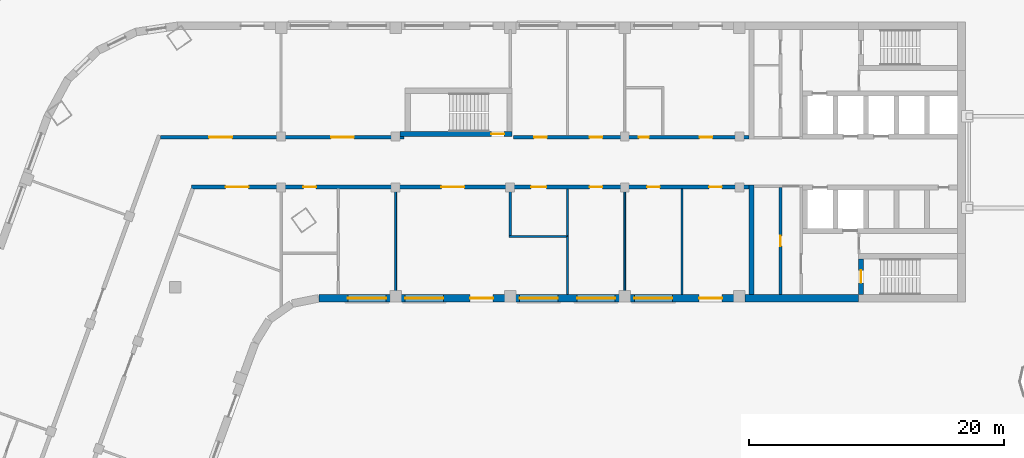
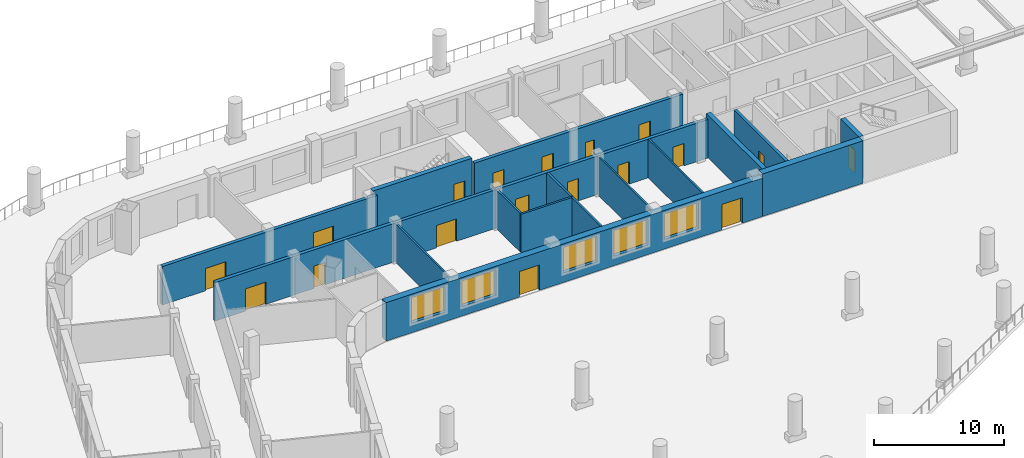
# One storey, part 5 of 18: 18 doors, 16 walls, 5 windows, 23 openings.
"""IFC4 building model written with IfcOpenShell, lengths in metres."""

from ifc_helpers import new_model, si_unit, direction, frame, frame_2d, origin, place, context, subcontext, project, spatial, rectangle, extrude, material, layer, layer_set, type_object, element, fill, save


model = new_model("IFC4")

# Units and contexts
model_context = context("Model", 3, precision=1e-05, world=origin(), true_north=direction((0.0, 1.0)))
body_context = subcontext(model_context, "Body", "Model", "MODEL_VIEW")
ifc_project = project(units=[si_unit("LENGTHUNIT", "METRE"), si_unit("AREAUNIT", "SQUARE_METRE"), si_unit("VOLUMEUNIT", "CUBIC_METRE"), si_unit("PLANEANGLEUNIT", "RADIAN"), si_unit("MASSUNIT", "GRAM", prefix="KILO")], contexts=[model_context])

# Site, building, storey
site_placement = place(None, origin())
site = spatial("IfcSite", under=ifc_project, at=site_placement, CompositionType="ELEMENT")
building_placement = place(site_placement, origin())
building = spatial("IfcBuilding", under=site, at=building_placement, Name="Skarvind Civic Tower", CompositionType="ELEMENT")
storey_placement = place(building_placement, frame((0.0, 0.0, 27.5)))
storey = spatial("IfcBuildingStorey", under=building, at=storey_placement, Name="L05", CompositionType="ELEMENT", Elevation=27.5)

# Walls
ifc_material_1 = material(Name="Acoustic gypsum board on steel studs", Category="steel")
ifc_layer_1 = layer(ifc_material_1, 0.175048828125)
ifc_layer_set_1 = layer_set([ifc_layer_1], Name="ACOUSTIC MEETING-ROOM PARTITION 175")
wall_type_1 = type_object("IfcWallType", Name="ACOUSTIC MEETING-ROOM PARTITION 175", PredefinedType="PARTITIONING", material=ifc_layer_set_1)
wall_1_placement = place(storey_placement, frame((72.25, 122.238037109375, 0.0), z_axis=(0.0, 0.0, 1.0), x_axis=(0.0, 1.0, 0.0)))
element("IfcWall", 1, at=wall_1_placement, inside=storey, type_object=wall_type_1, Name="Partition 05.018", PredefinedType="PARTITIONING", context=body_context, shape_type="SweptSolid", body=[
    extrude(rectangle(XDim=3.661865234375, YDim=0.175048828125, at=frame_2d((1.8310546875, 0.0))), origin(), (0.0, 0.0, 1.0), 3.625),
])
wall_2_placement = place(storey_placement, frame((76.837890625, 122.14990234375, 0.0), z_axis=(0.0, 0.0, 1.0), x_axis=(-1.0, 0.0, 0.0)))
element("IfcWall", 2, at=wall_2_placement, inside=storey, type_object=wall_type_1, Name="Partition 05.022", PredefinedType="PARTITIONING", context=body_context, shape_type="SweptSolid", body=[
    extrude(rectangle(XDim=4.67578125, YDim=0.175048828125, at=frame_2d((2.337890625, 0.0))), origin(), (0.0, 0.0, 1.0), 3.625),
])
wall_3_placement = place(storey_placement, frame((76.75, 122.238037109375, 0.0), z_axis=(0.0, 0.0, 1.0), x_axis=(0.0, 1.0, 0.0)))
element("IfcWall", 3, at=wall_3_placement, inside=storey, type_object=wall_type_1, Name="Partition 05.023", PredefinedType="PARTITIONING", context=body_context, shape_type="SweptSolid", body=[
    extrude(rectangle(XDim=3.661865234375, YDim=0.175048828125, at=frame_2d((1.8310546875, 0.0))), origin(), (0.0, 0.0, 1.0), 3.625),
])

# Wall, openings, doors
ifc_material_2 = material(Name="Fire-rated gypsum board on steel studs", Category="steel")
ifc_layer_2 = layer(ifc_material_2, 0.300048828125)
ifc_layer_set_2 = layer_set([ifc_layer_2], Name="CORRIDOR WALL 300")
wall_type_2 = type_object("IfcWallType", Name="CORRIDOR WALL 300", PredefinedType="PARTITIONING", material=ifc_layer_set_2)
wall_4_placement = place(storey_placement, frame((44.784912109375, 129.949951171875, 0.0), z_axis=(0.0, 0.0, 1.0), x_axis=(1.0, 0.0, 0.0)))
wall_4 = element("IfcWall", 4, at=wall_4_placement, inside=storey, type_object=wall_type_2, Name="Partition 05.010", PredefinedType="PARTITIONING", context=body_context, shape_type="SweptSolid", body=[
    extrude(rectangle(XDim=19.114990234375, YDim=0.300048828125, at=frame_2d((9.5576171875, 0.0))), origin(), (0.0, 0.0, 1.0), 3.625),
])
opening_1_placement = place(wall_4_placement, frame((13.389892578125, 0.0, 0.0)))
opening_1 = element("IfcOpeningElement", 5, at=opening_1_placement, cuts=wall_4, Name="Opening L05-D005", PredefinedType="OPENING", context=body_context, shape_type="SweptSolid", body=[
    extrude(rectangle(XDim=1.800048828125, YDim=2.10009765625, at=frame_2d((0.89990234375, 1.050048828125))), frame((0.0, 0.159912109375, 0.0), z_axis=(0.0, -1.0, 0.0), x_axis=(1.0, 0.0, 0.0)), (0.0, 0.0, 1.0), 0.320068359375),
])
opening_2_placement = place(wall_4_placement, frame((3.822509765625, 0.0, 0.0)))
opening_2 = element("IfcOpeningElement", 6, at=opening_2_placement, cuts=wall_4, Name="Opening L05-D022", PredefinedType="OPENING", context=body_context, shape_type="SweptSolid", body=[
    extrude(rectangle(XDim=1.800048828125, YDim=2.10009765625, at=frame_2d((0.89990234375, 1.050048828125))), frame((0.0, 0.159912109375, 0.0), z_axis=(0.0, -1.0, 0.0), x_axis=(1.0, 0.0, 0.0)), (0.0, 0.0, 1.0), 0.320068359375),
])
ifc_material_3 = material(Name="Fire-rated timber door leaf", Category="wood")
door_type_1 = type_object("IfcDoorType", Name="FD4 1800x2100", OperationType="NOTDEFINED", PredefinedType="DOOR", material=ifc_material_3)
door_1_placement = place(opening_1_placement, origin())
door_1 = element("IfcDoor", 7, at=door_1_placement, inside=storey, type_object=door_type_1, Name="Door L05-D005", OperationType="DOUBLE_DOOR_SINGLE_SWING", OverallHeight=2.10009765625, OverallWidth=1.800048828125, PredefinedType="DOOR", context=body_context, shape_type="SweptSolid", body=[
    extrude(rectangle(XDim=1.800048828125, YDim=2.10009765625, at=frame_2d((0.89990234375, 1.050048828125))), frame((0.0, 0.02490234375, 0.0), z_axis=(0.0, -1.0, 0.0), x_axis=(1.0, 0.0, 0.0)), (0.0, 0.0, 1.0), 0.050048828125),
])
fill(opening_1, door_1)
door_2_placement = place(opening_2_placement, origin())
door_2 = element("IfcDoor", 8, at=door_2_placement, inside=storey, type_object=door_type_1, Name="Door L05-D022", OperationType="DOUBLE_DOOR_SINGLE_SWING", OverallHeight=2.10009765625, OverallWidth=1.800048828125, PredefinedType="DOOR", context=body_context, shape_type="SweptSolid", body=[
    extrude(rectangle(XDim=1.800048828125, YDim=2.10009765625, at=frame_2d((0.89990234375, 1.050048828125))), frame((0.0, 0.02490234375, 0.0), z_axis=(0.0, -1.0, 0.0), x_axis=(1.0, 0.0, 0.0)), (0.0, 0.0, 1.0), 0.050048828125),
])
fill(opening_2, door_2)

wall_5_placement = place(storey_placement, frame((72.5, 129.949951171875, 0.0), z_axis=(0.0, 0.0, 1.0), x_axis=(1.0, 0.0, 0.0)))
wall_5 = element("IfcWall", 9, at=wall_5_placement, inside=storey, type_object=wall_type_2, Name="Partition 05.020", PredefinedType="PARTITIONING", context=body_context, shape_type="SweptSolid", body=[
    extrude(rectangle(XDim=18.5, YDim=0.300048828125, at=frame_2d((9.25, 0.0))), origin(), (0.0, 0.0, 1.0), 3.625),
])
opening_3_placement = place(wall_5_placement, frame((9.85009765625, 0.0, 0.0)))
opening_3 = element("IfcOpeningElement", 10, at=opening_3_placement, cuts=wall_5, Name="Opening L05-D001", PredefinedType="OPENING", context=body_context, shape_type="SweptSolid", body=[
    extrude(rectangle(XDim=0.800048828125, YDim=2.10009765625, at=frame_2d((0.39990234375, 1.050048828125))), frame((0.0, 0.159912109375, 0.0), z_axis=(0.0, -1.0, 0.0), x_axis=(1.0, 0.0, 0.0)), (0.0, 0.0, 1.0), 0.320068359375),
])
opening_4_placement = place(wall_5_placement, frame((14.625, 0.0, 0.0)))
opening_4 = element("IfcOpeningElement", 11, at=opening_4_placement, cuts=wall_5, Name="Opening L05-D002", PredefinedType="OPENING", context=body_context, shape_type="SweptSolid", body=[
    extrude(rectangle(XDim=1.0, YDim=2.10009765625, at=frame_2d((0.5, 1.050048828125))), frame((0.0, 0.159912109375, 0.0), z_axis=(0.0, -1.0, 0.0), x_axis=(1.0, 0.0, 0.0)), (0.0, 0.0, 1.0), 0.320068359375),
])
opening_5_placement = place(wall_5_placement, frame((6.0, 0.0, 0.0)))
opening_5 = element("IfcOpeningElement", 12, at=opening_5_placement, cuts=wall_5, Name="Opening L05-D003", PredefinedType="OPENING", context=body_context, shape_type="SweptSolid", body=[
    extrude(rectangle(XDim=1.0, YDim=2.10009765625, at=frame_2d((0.5, 1.050048828125))), frame((0.0, 0.159912109375, 0.0), z_axis=(0.0, -1.0, 0.0), x_axis=(1.0, 0.0, 0.0)), (0.0, 0.0, 1.0), 0.320068359375),
])
opening_6_placement = place(wall_5_placement, frame((1.625, 0.0, 0.0)))
opening_6 = element("IfcOpeningElement", 13, at=opening_6_placement, cuts=wall_5, Name="Opening L05-D004", PredefinedType="OPENING", context=body_context, shape_type="SweptSolid", body=[
    extrude(rectangle(XDim=1.0, YDim=2.10009765625, at=frame_2d((0.5, 1.050048828125))), frame((0.0, 0.159912109375, 0.0), z_axis=(0.0, -1.0, 0.0), x_axis=(1.0, 0.0, 0.0)), (0.0, 0.0, 1.0), 0.320068359375),
])
door_type_2 = type_object("IfcDoorType", Name="FD1 1000x2100", OperationType="NOTDEFINED", PredefinedType="DOOR", material=ifc_material_3)
door_3_placement = place(opening_4_placement, origin())
door_3 = element("IfcDoor", 14, at=door_3_placement, inside=storey, type_object=door_type_2, Name="Door L05-D002", OperationType="SINGLE_SWING_LEFT", OverallHeight=2.10009765625, OverallWidth=1.0, PredefinedType="DOOR", context=body_context, shape_type="SweptSolid", body=[
    extrude(rectangle(XDim=1.0, YDim=2.10009765625, at=frame_2d((0.5, 1.050048828125))), frame((0.0, 0.02490234375, 0.0), z_axis=(0.0, -1.0, 0.0), x_axis=(1.0, 0.0, 0.0)), (0.0, 0.0, 1.0), 0.050048828125),
])
fill(opening_4, door_3)
door_4_placement = place(opening_5_placement, origin())
door_4 = element("IfcDoor", 15, at=door_4_placement, inside=storey, type_object=door_type_2, Name="Door L05-D003", OperationType="SINGLE_SWING_RIGHT", OverallHeight=2.10009765625, OverallWidth=1.0, PredefinedType="DOOR", context=body_context, shape_type="SweptSolid", body=[
    extrude(rectangle(XDim=1.0, YDim=2.10009765625, at=frame_2d((0.5, 1.050048828125))), frame((0.0, 0.02490234375, 0.0), z_axis=(0.0, -1.0, 0.0), x_axis=(1.0, 0.0, 0.0)), (0.0, 0.0, 1.0), 0.050048828125),
])
fill(opening_5, door_4)
door_5_placement = place(opening_6_placement, origin())
door_5 = element("IfcDoor", 16, at=door_5_placement, inside=storey, type_object=door_type_2, Name="Door L05-D004", OperationType="SINGLE_SWING_LEFT", OverallHeight=2.10009765625, OverallWidth=1.0, PredefinedType="DOOR", context=body_context, shape_type="SweptSolid", body=[
    extrude(rectangle(XDim=1.0, YDim=2.10009765625, at=frame_2d((0.5, 1.050048828125))), frame((0.0, 0.02490234375, 0.0), z_axis=(0.0, -1.0, 0.0), x_axis=(1.0, 0.0, 0.0)), (0.0, 0.0, 1.0), 0.050048828125),
])
fill(opening_6, door_5)
door_type_3 = type_object("IfcDoorType", Name="FD5 800x2100", OperationType="NOTDEFINED", PredefinedType="DOOR", material=ifc_material_3)
door_6_placement = place(opening_3_placement, origin())
door_6 = element("IfcDoor", 17, at=door_6_placement, inside=storey, type_object=door_type_3, Name="Door L05-D001", OperationType="SINGLE_SWING_LEFT", OverallHeight=2.10009765625, OverallWidth=0.800048828125, PredefinedType="DOOR", context=body_context, shape_type="SweptSolid", body=[
    extrude(rectangle(XDim=0.800048828125, YDim=2.10009765625, at=frame_2d((0.39990234375, 1.050048828125))), frame((0.0, 0.02490234375, 0.0), z_axis=(0.0, -1.0, 0.0), x_axis=(1.0, 0.0, 0.0)), (0.0, 0.0, 1.0), 0.050048828125),
])
fill(opening_3, door_6)

wall_6_placement = place(storey_placement, frame((91.0, 126.050048828125, 0.0), z_axis=(0.0, 0.0, 1.0), x_axis=(-1.0, 0.0, 0.0)))
wall_6 = element("IfcWall", 18, at=wall_6_placement, inside=storey, type_object=wall_type_2, Name="Partition 05.030", PredefinedType="PARTITIONING", context=body_context, shape_type="SweptSolid", body=[
    extrude(rectangle(XDim=43.784912109375, YDim=0.300048828125, at=frame_2d((21.892578125, 0.0))), origin(), (0.0, 0.0, 1.0), 3.625),
])
opening_7_placement = place(wall_6_placement, frame((2.125, 0.0, 0.0)))
opening_7 = element("IfcOpeningElement", 19, at=opening_7_placement, cuts=wall_6, Name="Opening L05-D006", PredefinedType="OPENING", context=body_context, shape_type="SweptSolid", body=[
    extrude(rectangle(XDim=1.0, YDim=2.10009765625, at=frame_2d((0.5, 1.050048828125))), frame((0.0, 0.159912109375, 0.0), z_axis=(0.0, -1.0, 0.0), x_axis=(1.0, 0.0, 0.0)), (0.0, 0.0, 1.0), 0.320068359375),
])
opening_8_placement = place(wall_6_placement, frame((7.0, 0.0, 0.0)))
opening_8 = element("IfcOpeningElement", 20, at=opening_8_placement, cuts=wall_6, Name="Opening L05-D007", PredefinedType="OPENING", context=body_context, shape_type="SweptSolid", body=[
    extrude(rectangle(XDim=1.0, YDim=2.10009765625, at=frame_2d((0.5, 1.050048828125))), frame((0.0, 0.159912109375, 0.0), z_axis=(0.0, -1.0, 0.0), x_axis=(1.0, 0.0, 0.0)), (0.0, 0.0, 1.0), 0.320068359375),
])
opening_9_placement = place(wall_6_placement, frame((11.5, 0.0, 0.0)))
opening_9 = element("IfcOpeningElement", 21, at=opening_9_placement, cuts=wall_6, Name="Opening L05-D008", PredefinedType="OPENING", context=body_context, shape_type="SweptSolid", body=[
    extrude(rectangle(XDim=1.0, YDim=2.10009765625, at=frame_2d((0.5, 1.050048828125))), frame((0.0, 0.159912109375, 0.0), z_axis=(0.0, -1.0, 0.0), x_axis=(1.0, 0.0, 0.0)), (0.0, 0.0, 1.0), 0.320068359375),
])
opening_10_placement = place(wall_6_placement, frame((15.89990234375, 0.0, 0.0)))
opening_10 = element("IfcOpeningElement", 22, at=opening_10_placement, cuts=wall_6, Name="Opening L05-D009", PredefinedType="OPENING", context=body_context, shape_type="SweptSolid", body=[
    extrude(rectangle(XDim=1.199951171875, YDim=2.10009765625, at=frame_2d((0.60009765625, 1.050048828125))), frame((0.0, 0.159912109375, 0.0), z_axis=(0.0, -1.0, 0.0), x_axis=(1.0, 0.0, 0.0)), (0.0, 0.0, 1.0), 0.320068359375),
])
opening_11_placement = place(wall_6_placement, frame((22.35009765625, 0.0, 0.0)))
opening_11 = element("IfcOpeningElement", 23, at=opening_11_placement, cuts=wall_6, Name="Opening L05-D010", PredefinedType="OPENING", context=body_context, shape_type="SweptSolid", body=[
    extrude(rectangle(XDim=1.800048828125, YDim=2.10009765625, at=frame_2d((0.89990234375, 1.050048828125))), frame((0.0, 0.159912109375, 0.0), z_axis=(0.0, -1.0, 0.0), x_axis=(1.0, 0.0, 0.0)), (0.0, 0.0, 1.0), 0.320068359375),
])
opening_12_placement = place(wall_6_placement, frame((34.0, 0.0, 0.0)))
opening_12 = element("IfcOpeningElement", 24, at=opening_12_placement, cuts=wall_6, Name="Opening L05-D011", PredefinedType="OPENING", context=body_context, shape_type="SweptSolid", body=[
    extrude(rectangle(XDim=1.0, YDim=2.10009765625, at=frame_2d((0.5, 1.050048828125))), frame((0.0, 0.159912109375, 0.0), z_axis=(0.0, -1.0, 0.0), x_axis=(1.0, 0.0, 0.0)), (0.0, 0.0, 1.0), 0.320068359375),
])
opening_13_placement = place(wall_6_placement, frame((39.2958984375, 0.0, 0.0)))
opening_13 = element("IfcOpeningElement", 25, at=opening_13_placement, cuts=wall_6, Name="Opening L05-D023", PredefinedType="OPENING", context=body_context, shape_type="SweptSolid", body=[
    extrude(rectangle(XDim=1.800048828125, YDim=2.10009765625, at=frame_2d((0.89990234375, 1.050048828125))), frame((0.0, 0.159912109375, 0.0), z_axis=(0.0, -1.0, 0.0), x_axis=(1.0, 0.0, 0.0)), (0.0, 0.0, 1.0), 0.320068359375),
])
door_7_placement = place(opening_7_placement, origin())
door_7 = element("IfcDoor", 26, at=door_7_placement, inside=storey, type_object=door_type_2, Name="Door L05-D006", OperationType="SINGLE_SWING_LEFT", OverallHeight=2.10009765625, OverallWidth=1.0, PredefinedType="DOOR", context=body_context, shape_type="SweptSolid", body=[
    extrude(rectangle(XDim=1.0, YDim=2.10009765625, at=frame_2d((0.5, 1.050048828125))), frame((0.0, 0.02490234375, 0.0), z_axis=(0.0, -1.0, 0.0), x_axis=(1.0, 0.0, 0.0)), (0.0, 0.0, 1.0), 0.050048828125),
])
fill(opening_7, door_7)
door_8_placement = place(opening_8_placement, origin())
door_8 = element("IfcDoor", 27, at=door_8_placement, inside=storey, type_object=door_type_2, Name="Door L05-D007", OperationType="SINGLE_SWING_RIGHT", OverallHeight=2.10009765625, OverallWidth=1.0, PredefinedType="DOOR", context=body_context, shape_type="SweptSolid", body=[
    extrude(rectangle(XDim=1.0, YDim=2.10009765625, at=frame_2d((0.5, 1.050048828125))), frame((0.0, 0.02490234375, 0.0), z_axis=(0.0, -1.0, 0.0), x_axis=(1.0, 0.0, 0.0)), (0.0, 0.0, 1.0), 0.050048828125),
])
fill(opening_8, door_8)
door_9_placement = place(opening_9_placement, origin())
door_9 = element("IfcDoor", 28, at=door_9_placement, inside=storey, type_object=door_type_2, Name="Door L05-D008", OperationType="SINGLE_SWING_LEFT", OverallHeight=2.10009765625, OverallWidth=1.0, PredefinedType="DOOR", context=body_context, shape_type="SweptSolid", body=[
    extrude(rectangle(XDim=1.0, YDim=2.10009765625, at=frame_2d((0.5, 1.050048828125))), frame((0.0, 0.02490234375, 0.0), z_axis=(0.0, -1.0, 0.0), x_axis=(1.0, 0.0, 0.0)), (0.0, 0.0, 1.0), 0.050048828125),
])
fill(opening_9, door_9)
door_10_placement = place(opening_12_placement, origin())
door_10 = element("IfcDoor", 29, at=door_10_placement, inside=storey, type_object=door_type_2, Name="Door L05-D011", OperationType="SINGLE_SWING_LEFT", OverallHeight=2.10009765625, OverallWidth=1.0, PredefinedType="DOOR", context=body_context, shape_type="SweptSolid", body=[
    extrude(rectangle(XDim=1.0, YDim=2.10009765625, at=frame_2d((0.5, 1.050048828125))), frame((0.0, 0.02490234375, 0.0), z_axis=(0.0, -1.0, 0.0), x_axis=(1.0, 0.0, 0.0)), (0.0, 0.0, 1.0), 0.050048828125),
])
fill(opening_12, door_10)
door_11_placement = place(opening_11_placement, origin())
door_11 = element("IfcDoor", 30, at=door_11_placement, inside=storey, type_object=door_type_1, Name="Door L05-D010", OperationType="DOUBLE_DOOR_SINGLE_SWING", OverallHeight=2.10009765625, OverallWidth=1.800048828125, PredefinedType="DOOR", context=body_context, shape_type="SweptSolid", body=[
    extrude(rectangle(XDim=1.800048828125, YDim=2.10009765625, at=frame_2d((0.89990234375, 1.050048828125))), frame((0.0, 0.02490234375, 0.0), z_axis=(0.0, -1.0, 0.0), x_axis=(1.0, 0.0, 0.0)), (0.0, 0.0, 1.0), 0.050048828125),
])
fill(opening_11, door_11)
door_12_placement = place(opening_13_placement, origin())
door_12 = element("IfcDoor", 31, at=door_12_placement, inside=storey, type_object=door_type_1, Name="Door L05-D023", OperationType="DOUBLE_DOOR_SINGLE_SWING", OverallHeight=2.10009765625, OverallWidth=1.800048828125, PredefinedType="DOOR", context=body_context, shape_type="SweptSolid", body=[
    extrude(rectangle(XDim=1.800048828125, YDim=2.10009765625, at=frame_2d((0.89990234375, 1.050048828125))), frame((0.0, 0.02490234375, 0.0), z_axis=(0.0, -1.0, 0.0), x_axis=(1.0, 0.0, 0.0)), (0.0, 0.0, 1.0), 0.050048828125),
])
fill(opening_13, door_12)
door_type_4 = type_object("IfcDoorType", Name="FD6 1200x2100 DOUBLE", OperationType="NOTDEFINED", PredefinedType="DOOR", material=ifc_material_3)
door_13_placement = place(opening_10_placement, origin())
door_13 = element("IfcDoor", 32, at=door_13_placement, inside=storey, type_object=door_type_4, Name="Door L05-D009", OperationType="DOUBLE_DOOR_SINGLE_SWING", OverallHeight=2.10009765625, OverallWidth=1.199951171875, PredefinedType="DOOR", context=body_context, shape_type="SweptSolid", body=[
    extrude(rectangle(XDim=1.199951171875, YDim=2.10009765625, at=frame_2d((0.60009765625, 1.050048828125))), frame((0.0, 0.02490234375, 0.0), z_axis=(0.0, -1.0, 0.0), x_axis=(1.0, 0.0, 0.0)), (0.0, 0.0, 1.0), 0.050048828125),
])
fill(opening_10, door_13)

# Wall, opening, door
ifc_material_4 = material(Name="Concrete C80", Category="concrete")
ifc_layer_3 = layer(ifc_material_4, 0.39990234375)
ifc_layer_set_3 = layer_set([ifc_layer_3], Name="Core wall 400 C80")
wall_type_3 = type_object("IfcWallType", Name="Core wall 400 C80", PredefinedType="SHEAR", material=ifc_layer_set_3)
wall_7_placement = place(storey_placement, frame((99.800048828125, 120.39990234375, 0.0), z_axis=(0.0, 0.0, 1.0), x_axis=(0.0, -1.0, 0.0)))
wall_7 = element("IfcWall", 33, at=wall_7_placement, inside=storey, type_object=wall_type_3, Name="Core wall C1 north stair end L05", PredefinedType="SHEAR", context=body_context, shape_type="SweptSolid", body=[
    extrude(rectangle(XDim=2.7998046875, YDim=0.39990234375, at=frame_2d((1.39990234375, 0.0))), origin(), (0.0, 0.0, 1.0), 4.0),
])
opening_14_placement = place(wall_7_placement, frame((0.89990234375, 0.0, 0.0)))
opening_14 = element("IfcOpeningElement", 34, at=opening_14_placement, cuts=wall_7, Name="Opening D-L05-C1-07", PredefinedType="OPENING", context=body_context, shape_type="SweptSolid", body=[
    extrude(rectangle(XDim=1.0, YDim=2.10009765625, at=frame_2d((0.5, 1.050048828125))), frame((0.0, 0.2099609375, 0.0), z_axis=(0.0, -1.0, 0.0), x_axis=(1.0, 0.0, 0.0)), (0.0, 0.0, 1.0), 0.419921875),
])
ifc_material_5 = material(Name="Fire-rated steel door", Category="steel")
door_type_5 = type_object("IfcDoorType", Name="Fire door 1000", OperationType="NOTDEFINED", PredefinedType="DOOR", material=ifc_material_5)
door_14_placement = place(opening_14_placement, origin())
door_14 = element("IfcDoor", 35, at=door_14_placement, inside=storey, type_object=door_type_5, Name="Fire door", OperationType="SINGLE_SWING_LEFT", OverallHeight=2.10009765625, OverallWidth=1.0, PredefinedType="DOOR", context=body_context, shape_type="SweptSolid", body=[
    extrude(rectangle(XDim=1.0, YDim=2.10009765625, at=frame_2d((0.5, 1.050048828125))), frame((0.0, 0.02490234375, 0.0), z_axis=(0.0, -1.0, 0.0), x_axis=(1.0, 0.0, 0.0)), (0.0, 0.0, 1.0), 0.050048828125),
])
fill(opening_14, door_14)

# Wall
wall_8_placement = place(storey_placement, frame((91.199951171875, 126.199951171875, 0.0), z_axis=(0.0, 0.0, 1.0), x_axis=(0.0, -1.0, 0.0)))
element("IfcWall", 36, at=wall_8_placement, inside=storey, type_object=wall_type_3, Name="Core wall C1 north inner face L05", PredefinedType="SHEAR", context=body_context, shape_type="SweptSolid", body=[
    extrude(rectangle(XDim=8.599853515625, YDim=0.39990234375, at=frame_2d((4.2998046875, 0.0))), origin(), (0.0, 0.0, 1.0), 4.0),
])

# Wall, opening, door
wall_9_placement = place(storey_placement, frame((63.60009765625, 130.199951171875, 0.0), z_axis=(0.0, 0.0, 1.0), x_axis=(1.0, 0.0, 0.0)))
wall_9 = element("IfcWall", 37, at=wall_9_placement, inside=storey, type_object=wall_type_3, Name="Core wall CM inner L05", PredefinedType="SHEAR", context=body_context, shape_type="SweptSolid", body=[
    extrude(rectangle(XDim=8.7998046875, YDim=0.39990234375, at=frame_2d((4.39990234375, 0.0))), origin(), (0.0, 0.0, 1.0), 4.0),
])
opening_15_placement = place(wall_9_placement, frame((7.175048828125, 0.0, 0.0)))
opening_15 = element("IfcOpeningElement", 38, at=opening_15_placement, cuts=wall_9, Name="Opening D-L05-CM-01", PredefinedType="OPENING", context=body_context, shape_type="SweptSolid", body=[
    extrude(rectangle(XDim=1.0, YDim=2.10009765625, at=frame_2d((0.5, 1.050048828125))), frame((0.0, 0.2099609375, 0.0), z_axis=(0.0, -1.0, 0.0), x_axis=(1.0, 0.0, 0.0)), (0.0, 0.0, 1.0), 0.419921875),
])
door_15_placement = place(opening_15_placement, origin())
door_15 = element("IfcDoor", 39, at=door_15_placement, inside=storey, type_object=door_type_5, Name="Fire door", OperationType="SINGLE_SWING_LEFT", OverallHeight=2.10009765625, OverallWidth=1.0, PredefinedType="DOOR", context=body_context, shape_type="SweptSolid", body=[
    extrude(rectangle(XDim=1.0, YDim=2.10009765625, at=frame_2d((0.5, 1.050048828125))), frame((0.0, 0.02490234375, 0.0), z_axis=(0.0, -1.0, 0.0), x_axis=(1.0, 0.0, 0.0)), (0.0, 0.0, 1.0), 0.050048828125),
])
fill(opening_15, door_15)

# Walls
ifc_layer_4 = layer(ifc_material_4, 0.60009765625)
ifc_layer_set_4 = layer_set([ifc_layer_4], Name="Core wall 600 C80")
wall_type_4 = type_object("IfcWallType", Name="Core wall 600 C80", PredefinedType="SHEAR", material=ifc_layer_set_4)
wall_10_placement = place(storey_placement, frame((99.60009765625, 117.300048828125, 0.0), z_axis=(0.0, 0.0, 1.0), x_axis=(-1.0, 0.0, 0.0)))
element("IfcWall", 40, at=wall_10_placement, inside=storey, type_object=wall_type_4, Name="Core wall C1 north side L05", PredefinedType="SHEAR", context=body_context, shape_type="SweptSolid", body=[
    extrude(rectangle(XDim=8.900146484375, YDim=0.60009765625, at=frame_2d((4.4501953125, 0.0))), origin(), (0.0, 0.0, 1.0), 4.0),
])
ifc_material_6 = material(Name="Plasterboard partition on steel studs", Category="steel")
ifc_layer_5 = layer(ifc_material_6, 0.14990234375)
ifc_layer_set_5 = layer_set([ifc_layer_5], Name="PARTITION 150")
wall_type_5 = type_object("IfcWallType", Name="PARTITION 150", PredefinedType="PARTITIONING", material=ifc_layer_set_5)
wall_11_placement = place(storey_placement, frame((63.25, 117.60009765625, 0.0), z_axis=(0.0, 0.0, 1.0), x_axis=(0.0, 1.0, 0.0)))
element("IfcWall", 41, at=wall_11_placement, inside=storey, type_object=wall_type_5, Name="Partition 05.017", PredefinedType="PARTITIONING", context=body_context, shape_type="SweptSolid", body=[
    extrude(rectangle(XDim=8.2998046875, YDim=0.14990234375, at=frame_2d((4.14990234375, 0.0))), origin(), (0.0, 0.0, 1.0), 3.625),
])
wall_12_placement = place(storey_placement, frame((76.75, 117.60009765625, 0.0), z_axis=(0.0, 0.0, 1.0), x_axis=(0.0, 1.0, 0.0)))
element("IfcWall", 42, at=wall_12_placement, inside=storey, type_object=wall_type_5, Name="Partition 05.021", PredefinedType="PARTITIONING", context=body_context, shape_type="SweptSolid", body=[
    extrude(rectangle(XDim=4.552978515625, YDim=0.14990234375, at=frame_2d((2.2763671875, 0.0))), origin(), (0.0, 0.0, 1.0), 3.625),
])
for number, where, z_axis, x_axis, name in (
    (43, (81.25, 117.60009765625, 0.0), (0.0, 0.0, 1.0), (0.0, 1.0, 0.0), "Partition 05.025"),
    (44, (85.75, 117.60009765625, 0.0), (0.0, 0.0, 1.0), (0.0, 1.0, 0.0), "Partition 05.029"),
):
    element("IfcWall", number, at=place(storey_placement, frame(where, z_axis=z_axis, x_axis=x_axis)), inside=storey, type_object=wall_type_5, Name=name, PredefinedType="PARTITIONING", context=body_context, shape_type="SweptSolid", body=[
        extrude(rectangle(XDim=8.2998046875, YDim=0.14990234375, at=frame_2d((4.14990234375, 0.0))), origin(), (0.0, 0.0, 1.0), 3.625),
    ])

# Wall, opening, door
ifc_material_7 = material(Name="Fire-rated masonry partition", Category="masonry")
ifc_layer_6 = layer(ifc_material_7, 0.25)
ifc_layer_set_6 = layer_set([ifc_layer_6], Name="Service block wall 250")
wall_type_6 = type_object("IfcWallType", Name="Service block wall 250", PredefinedType="PARTITIONING", material=ifc_layer_set_6)
wall_13_placement = place(storey_placement, frame((93.47509765625, 117.60009765625, 0.0), z_axis=(0.0, 0.0, 1.0), x_axis=(0.0, 1.0, 0.0)))
wall_13 = element("IfcWall", 45, at=wall_13_placement, inside=storey, type_object=wall_type_6, Name="Core wall C1", PredefinedType="PARTITIONING", context=body_context, shape_type="SweptSolid", body=[
    extrude(rectangle(XDim=8.39990234375, YDim=0.25, at=frame_2d((4.199951171875, 0.0))), origin(), (0.0, 0.0, 1.0), 3.625),
])
opening_16_placement = place(wall_13_placement, frame((3.800048828125, 0.0, 0.0)))
opening_16 = element("IfcOpeningElement", 46, at=opening_16_placement, cuts=wall_13, Name="Opening D-L05-C1-09", PredefinedType="OPENING", context=body_context, shape_type="SweptSolid", body=[
    extrude(rectangle(XDim=0.800048828125, YDim=2.10009765625, at=frame_2d((0.39990234375, 1.050048828125))), frame((0.0, 0.135009765625, 0.0), z_axis=(0.0, -1.0, 0.0), x_axis=(1.0, 0.0, 0.0)), (0.0, 0.0, 1.0), 0.27001953125),
])
door_type_6 = type_object("IfcDoorType", Name="Core riser door 800", OperationType="NOTDEFINED", PredefinedType="DOOR", material=ifc_material_5)
door_16_placement = place(opening_16_placement, origin())
door_16 = element("IfcDoor", 47, at=door_16_placement, inside=storey, type_object=door_type_6, Name="Riser door", OperationType="SINGLE_SWING_LEFT", OverallHeight=2.10009765625, OverallWidth=0.800048828125, PredefinedType="DOOR", context=body_context, shape_type="SweptSolid", body=[
    extrude(rectangle(XDim=0.800048828125, YDim=2.10009765625, at=frame_2d((0.39990234375, 1.050048828125))), frame((0.0, 0.02490234375, 0.0), z_axis=(0.0, -1.0, 0.0), x_axis=(1.0, 0.0, 0.0)), (0.0, 0.0, 1.0), 0.050048828125),
])
fill(opening_16, door_16)

# Wall, openings, doors, windows
ifc_material_8 = material(Name="Limestone masonry cladding on insulated backing", Category="masonry")
ifc_layer_7 = layer(ifc_material_8, 0.60009765625)
ifc_layer_set_7 = layer_set([ifc_layer_7], Name="WX1 STONE FACADE WALL 600")
wall_type_7 = type_object("IfcWallType", Name="WX1 STONE FACADE WALL 600", PredefinedType="SOLIDWALL", material=ifc_layer_set_7)
wall_14_placement = place(storey_placement, frame((90.97998046875, 117.300048828125, 0.0), z_axis=(0.0, 0.0, 1.0), x_axis=(-1.0, 0.0, 0.0)))
wall_14 = element("IfcWall", 48, at=wall_14_placement, inside=storey, type_object=wall_type_7, Name="STONE FACADE WALL", PredefinedType="SOLIDWALL", context=body_context, shape_type="SweptSolid", body=[
    extrude(rectangle(XDim=33.744873046875, YDim=0.60009765625, at=frame_2d((16.87255859375, 0.0))), origin(), (0.0, 0.0, 1.0), 3.625),
])
opening_17_placement = place(wall_14_placement, frame((2.080078125, 0.0, 0.0)))
opening_17 = element("IfcOpeningElement", 49, at=opening_17_placement, cuts=wall_14, Name="Opening DX3", PredefinedType="OPENING", context=body_context, shape_type="SweptSolid", body=[
    extrude(rectangle(XDim=1.800048828125, YDim=2.39990234375, at=frame_2d((0.89990234375, 1.199951171875))), frame((0.0, 0.31005859375, 0.0), z_axis=(0.0, -1.0, 0.0), x_axis=(1.0, 0.0, 0.0)), (0.0, 0.0, 1.0), 0.6201171875),
])
opening_18_placement = place(wall_14_placement, frame((5.97998046875, 0.0, 0.89990234375)))
opening_18 = element("IfcOpeningElement", 50, at=opening_18_placement, cuts=wall_14, Name="Opening WN1", PredefinedType="OPENING", context=body_context, shape_type="SweptSolid", body=[
    extrude(rectangle(XDim=3.0, YDim=2.39990234375, at=frame_2d((1.5, 1.199951171875))), frame((0.0, 0.31005859375, 0.0), z_axis=(0.0, -1.0, 0.0), x_axis=(1.0, 0.0, 0.0)), (0.0, 0.0, 1.0), 0.6201171875),
])
opening_19_placement = place(wall_14_placement, frame((10.47998046875, 0.0, 0.89990234375)))
opening_19 = element("IfcOpeningElement", 51, at=opening_19_placement, cuts=wall_14, Name="Opening WN1", PredefinedType="OPENING", context=body_context, shape_type="SweptSolid", body=[
    extrude(rectangle(XDim=3.0, YDim=2.39990234375, at=frame_2d((1.5, 1.199951171875))), frame((0.0, 0.31005859375, 0.0), z_axis=(0.0, -1.0, 0.0), x_axis=(1.0, 0.0, 0.0)), (0.0, 0.0, 1.0), 0.6201171875),
])
opening_20_placement = place(wall_14_placement, frame((14.97998046875, 0.0, 0.89990234375)))
opening_20 = element("IfcOpeningElement", 52, at=opening_20_placement, cuts=wall_14, Name="Opening WN1", PredefinedType="OPENING", context=body_context, shape_type="SweptSolid", body=[
    extrude(rectangle(XDim=3.0, YDim=2.39990234375, at=frame_2d((1.5, 1.199951171875))), frame((0.0, 0.31005859375, 0.0), z_axis=(0.0, -1.0, 0.0), x_axis=(1.0, 0.0, 0.0)), (0.0, 0.0, 1.0), 0.6201171875),
])
opening_21_placement = place(wall_14_placement, frame((20.080078125, 0.0, 0.0)))
opening_21 = element("IfcOpeningElement", 53, at=opening_21_placement, cuts=wall_14, Name="Opening DX3", PredefinedType="OPENING", context=body_context, shape_type="SweptSolid", body=[
    extrude(rectangle(XDim=1.800048828125, YDim=2.39990234375, at=frame_2d((0.89990234375, 1.199951171875))), frame((0.0, 0.31005859375, 0.0), z_axis=(0.0, -1.0, 0.0), x_axis=(1.0, 0.0, 0.0)), (0.0, 0.0, 1.0), 0.6201171875),
])
opening_22_placement = place(wall_14_placement, frame((23.97998046875, 0.0, 0.89990234375)))
opening_22 = element("IfcOpeningElement", 54, at=opening_22_placement, cuts=wall_14, Name="Opening WN1", PredefinedType="OPENING", context=body_context, shape_type="SweptSolid", body=[
    extrude(rectangle(XDim=3.0, YDim=2.39990234375, at=frame_2d((1.5, 1.199951171875))), frame((0.0, 0.31005859375, 0.0), z_axis=(0.0, -1.0, 0.0), x_axis=(1.0, 0.0, 0.0)), (0.0, 0.0, 1.0), 0.6201171875),
])
opening_23_placement = place(wall_14_placement, frame((28.47998046875, 0.0, 0.89990234375)))
opening_23 = element("IfcOpeningElement", 55, at=opening_23_placement, cuts=wall_14, Name="Opening WN1", PredefinedType="OPENING", context=body_context, shape_type="SweptSolid", body=[
    extrude(rectangle(XDim=3.0, YDim=2.39990234375, at=frame_2d((1.5, 1.199951171875))), frame((0.0, 0.31005859375, 0.0), z_axis=(0.0, -1.0, 0.0), x_axis=(1.0, 0.0, 0.0)), (0.0, 0.0, 1.0), 0.6201171875),
])
ifc_material_9 = material(Name="Timber and glass doorset", Category="wood")
door_type_7 = type_object("IfcDoorType", Name="DX3 TERRACE DOORS 1800 x 2400", OperationType="NOTDEFINED", PredefinedType="DOOR", material=ifc_material_9)
door_17_placement = place(opening_17_placement, origin())
door_17 = element("IfcDoor", 56, at=door_17_placement, inside=storey, type_object=door_type_7, Name="TERRACE DOORS", OperationType="DOUBLE_DOOR_SINGLE_SWING", OverallHeight=2.39990234375, OverallWidth=1.800048828125, PredefinedType="DOOR", context=body_context, shape_type="SweptSolid", body=[
    extrude(rectangle(XDim=1.800048828125, YDim=2.39990234375, at=frame_2d((0.89990234375, 1.199951171875))), frame((0.0, 0.02490234375, 0.0), z_axis=(0.0, -1.0, 0.0), x_axis=(1.0, 0.0, 0.0)), (0.0, 0.0, 1.0), 0.050048828125),
])
fill(opening_17, door_17)
door_18_placement = place(opening_21_placement, origin())
door_18 = element("IfcDoor", 57, at=door_18_placement, inside=storey, type_object=door_type_7, Name="TERRACE DOORS", OperationType="DOUBLE_DOOR_SINGLE_SWING", OverallHeight=2.39990234375, OverallWidth=1.800048828125, PredefinedType="DOOR", context=body_context, shape_type="SweptSolid", body=[
    extrude(rectangle(XDim=1.800048828125, YDim=2.39990234375, at=frame_2d((0.89990234375, 1.199951171875))), frame((0.0, 0.02490234375, 0.0), z_axis=(0.0, -1.0, 0.0), x_axis=(1.0, 0.0, 0.0)), (0.0, 0.0, 1.0), 0.050048828125),
])
fill(opening_21, door_18)
ifc_material_10 = material(Name="Timber frame, double glazing, timber-lined reveal", Category="wood")
window_type = type_object("IfcWindowType", Name="WN1 PUNCHED STONE WINDOW 3000 x 2400", PartitioningType="SINGLE_PANEL", PredefinedType="WINDOW", material=ifc_material_10)
window_1_placement = place(opening_18_placement, origin())
window_1 = element("IfcWindow", 58, at=window_1_placement, inside=storey, type_object=window_type, Name="WN1 WINDOW", OverallHeight=2.39990234375, OverallWidth=3.0, PartitioningType="SINGLE_PANEL", PredefinedType="WINDOW", context=body_context, shape_type="SweptSolid", body=[
    extrude(rectangle(XDim=3.0, YDim=2.39990234375, at=frame_2d((1.5, 1.199951171875))), frame((0.0, 0.030029296875, 0.0), z_axis=(0.0, -1.0, 0.0), x_axis=(1.0, 0.0, 0.0)), (0.0, 0.0, 1.0), 0.06005859375),
])
fill(opening_18, window_1)
window_2_placement = place(opening_19_placement, origin())
window_2 = element("IfcWindow", 59, at=window_2_placement, inside=storey, type_object=window_type, Name="WN1 WINDOW", OverallHeight=2.39990234375, OverallWidth=3.0, PartitioningType="SINGLE_PANEL", PredefinedType="WINDOW", context=body_context, shape_type="SweptSolid", body=[
    extrude(rectangle(XDim=3.0, YDim=2.39990234375, at=frame_2d((1.5, 1.199951171875))), frame((0.0, 0.030029296875, 0.0), z_axis=(0.0, -1.0, 0.0), x_axis=(1.0, 0.0, 0.0)), (0.0, 0.0, 1.0), 0.06005859375),
])
fill(opening_19, window_2)
window_3_placement = place(opening_20_placement, origin())
window_3 = element("IfcWindow", 60, at=window_3_placement, inside=storey, type_object=window_type, Name="WN1 WINDOW", OverallHeight=2.39990234375, OverallWidth=3.0, PartitioningType="SINGLE_PANEL", PredefinedType="WINDOW", context=body_context, shape_type="SweptSolid", body=[
    extrude(rectangle(XDim=3.0, YDim=2.39990234375, at=frame_2d((1.5, 1.199951171875))), frame((0.0, 0.030029296875, 0.0), z_axis=(0.0, -1.0, 0.0), x_axis=(1.0, 0.0, 0.0)), (0.0, 0.0, 1.0), 0.06005859375),
])
fill(opening_20, window_3)
window_4_placement = place(opening_22_placement, origin())
window_4 = element("IfcWindow", 61, at=window_4_placement, inside=storey, type_object=window_type, Name="WN1 WINDOW", OverallHeight=2.39990234375, OverallWidth=3.0, PartitioningType="SINGLE_PANEL", PredefinedType="WINDOW", context=body_context, shape_type="SweptSolid", body=[
    extrude(rectangle(XDim=3.0, YDim=2.39990234375, at=frame_2d((1.5, 1.199951171875))), frame((0.0, 0.030029296875, 0.0), z_axis=(0.0, -1.0, 0.0), x_axis=(1.0, 0.0, 0.0)), (0.0, 0.0, 1.0), 0.06005859375),
])
fill(opening_22, window_4)
window_5_placement = place(opening_23_placement, origin())
window_5 = element("IfcWindow", 62, at=window_5_placement, inside=storey, type_object=window_type, Name="WN1 WINDOW", OverallHeight=2.39990234375, OverallWidth=3.0, PartitioningType="SINGLE_PANEL", PredefinedType="WINDOW", context=body_context, shape_type="SweptSolid", body=[
    extrude(rectangle(XDim=3.0, YDim=2.39990234375, at=frame_2d((1.5, 1.199951171875))), frame((0.0, 0.030029296875, 0.0), z_axis=(0.0, -1.0, 0.0), x_axis=(1.0, 0.0, 0.0)), (0.0, 0.0, 1.0), 0.06005859375),
])
fill(opening_23, window_5)

save(model, "model.ifc")
